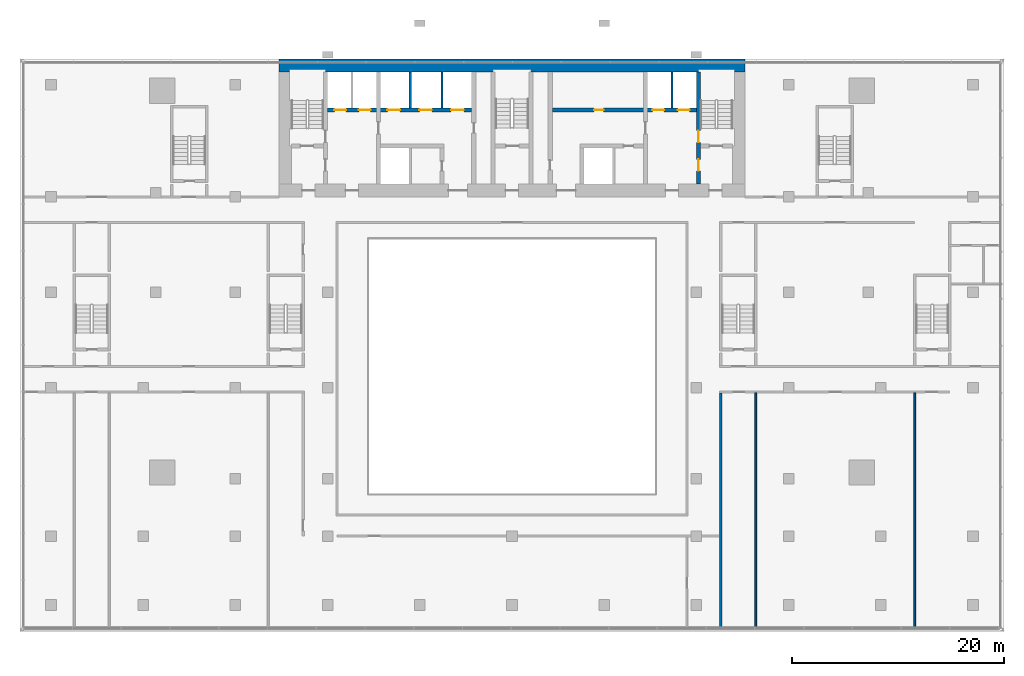
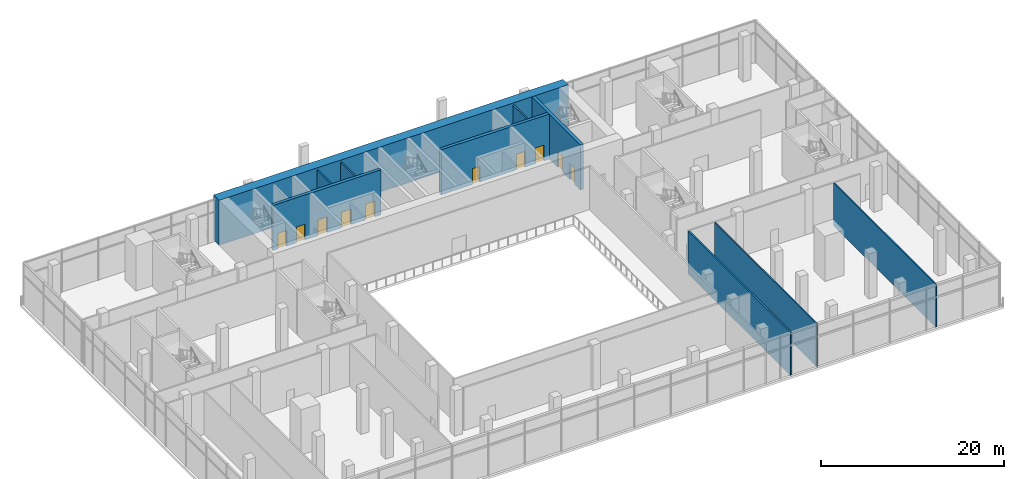
# One storey, part 14 of 22: 10 doors, 10 walls, 10 openings.
"""IFC4 building model written with IfcOpenShell, lengths in metres."""

from ifc_helpers import new_model, si_unit, direction, frame, frame_2d, origin, place, context, subcontext, project, spatial, rectangle, extrude, material, layer, layer_set, type_object, element, fill, save


model = new_model("IFC4")

# Units and contexts
model_context = context("Model", 3, precision=1e-05, world=origin(), true_north=direction((0.0, 1.0)))
body_context = subcontext(model_context, "Body", "Model", "MODEL_VIEW")
ifc_project = project(units=[si_unit("LENGTHUNIT", "METRE"), si_unit("AREAUNIT", "SQUARE_METRE"), si_unit("VOLUMEUNIT", "CUBIC_METRE"), si_unit("PLANEANGLEUNIT", "RADIAN"), si_unit("MASSUNIT", "GRAM", prefix="KILO")], contexts=[model_context])

# Site, building, storey
site_placement = place(None, origin())
site = spatial("IfcSite", under=ifc_project, at=site_placement, CompositionType="ELEMENT")
building_placement = place(site_placement, origin())
building = spatial("IfcBuilding", under=site, at=building_placement, Name="Bicima Exchange Tower", CompositionType="ELEMENT")
storey_placement = place(building_placement, frame((0.0, 0.0, 14.0)))
storey = spatial("IfcBuildingStorey", under=building, at=storey_placement, Name="L02", CompositionType="ELEMENT", Elevation=14.0)

# Walls
ifc_material_1 = material(Name="Gypsum board partition")
ifc_layer_1 = layer(ifc_material_1, 0.199951171875)
ifc_layer_set_1 = layer_set([ifc_layer_1], Name="Gypsum board partition")
wall_type_1 = type_object("IfcWallType", Name="Fire-rated gypsum partition 200 EI120", PredefinedType="PARTITIONING", material=ifc_layer_set_1)
for number, where, z_axis, x_axis, name in (
    (1, (-9.60009765625, -4.60009765625, 0.0), (0.0, 0.0, 1.0), (0.0, 1.0, 0.0), "partition wall 12"),
    (2, (-6.60009765625, -4.60009765625, 0.0), (0.0, 0.0, 1.0), (0.0, 1.0, 0.0), "partition wall 14"),
    (3, (15.10009765625, -4.60009765625, 0.0), (0.0, 0.0, 1.0), (0.0, 1.0, 0.0), "partition wall 22"),
):
    element("IfcWall", number, at=place(storey_placement, frame(where, z_axis=z_axis, x_axis=x_axis)), inside=storey, type_object=wall_type_1, Name=name, PredefinedType="PARTITIONING", context=body_context, shape_type="SweptSolid", body=[
        extrude(rectangle(XDim=3.400146484375, YDim=0.199951171875, at=frame_2d((1.7001953125, 0.0))), origin(), (0.0, 0.0, 1.0), 5.699951171875),
    ])
ifc_layer_2 = layer(ifc_material_1, 0.199951171875)
ifc_layer_set_2 = layer_set([ifc_layer_2], Name="Gypsum board partition")
wall_type_2 = type_object("IfcWallType", Name="Fire-rated gypsum partition 200 EI60", PredefinedType="PARTITIONING", material=ifc_layer_set_2)
wall_1_placement = place(storey_placement, frame((19.699951171875, -53.7900390625, 0.0), z_axis=(0.0, 0.0, 1.0), x_axis=(0.0, 1.0, 0.0)))
element("IfcWall", 4, at=wall_1_placement, inside=storey, type_object=wall_type_2, Name="partition wall 42", PredefinedType="PARTITIONING", context=body_context, shape_type="SweptSolid", body=[
    extrude(rectangle(XDim=22.2900390625, YDim=0.199951171875, at=frame_2d((11.14501953125, 0.0))), origin(), (0.0, 0.0, 1.0), 5.699951171875),
])
ifc_layer_3 = layer(ifc_material_1, 0.14990234375)
ifc_layer_set_3 = layer_set([ifc_layer_3], Name="Gypsum board partition")
wall_type_3 = type_object("IfcWallType", Name="Gypsum partition 150", PredefinedType="PARTITIONING", material=ifc_layer_set_3)
for number, where, z_axis, x_axis, name in (
    (5, (23.0, -53.7900390625, 0.0), (0.0, 0.0, 1.0), (0.0, 1.0, 0.0), "partition wall 44"),
    (6, (38.0, -53.7900390625, 0.0), (0.0, 0.0, 1.0), (0.0, 1.0, 0.0), "partition wall 48"),
):
    element("IfcWall", number, at=place(storey_placement, frame(where, z_axis=z_axis, x_axis=x_axis)), inside=storey, type_object=wall_type_3, Name=name, PredefinedType="PARTITIONING", context=body_context, shape_type="SweptSolid", body=[
        extrude(rectangle(XDim=22.2900390625, YDim=0.14990234375, at=frame_2d((11.14501953125, 0.0))), origin(), (0.0, 0.0, 1.0), 5.699951171875),
    ])
ifc_material_2 = material(Name="Concrete C60/75", Category="concrete")
ifc_layer_4 = layer(ifc_material_2, 1.199951171875)
ifc_layer_set_4 = layer_set([ifc_layer_4], Name="Concrete C60/75")
wall_type_4 = type_object("IfcWallType", Name="RC core wall 1200 C60/75", PredefinedType="SHEAR", material=ifc_layer_set_4)
wall_2_placement = place(storey_placement, frame((-22.0, -0.60009765625, 0.0), z_axis=(0.0, 0.0, 1.0), x_axis=(1.0, 0.0, 0.0)))
element("IfcWall", 7, at=wall_2_placement, inside=storey, type_object=wall_type_4, Name="Core wall north", PredefinedType="SHEAR", context=body_context, shape_type="SweptSolid", body=[
    extrude(rectangle(XDim=44.0, YDim=1.199951171875, at=frame_2d((22.0, 0.0))), origin(), (0.0, 0.0, 1.0), 6.0),
])

# Wall, openings, doors
ifc_material_3 = material(Name="Concrete C50/60", Category="concrete")
ifc_layer_5 = layer(ifc_material_3, 0.39990234375)
ifc_layer_set_5 = layer_set([ifc_layer_5], Name="Concrete C50/60")
wall_type_5 = type_object("IfcWallType", Name="RC core wall 400 C50/60", PredefinedType="SHEAR", material=ifc_layer_set_5)
wall_3_placement = place(storey_placement, frame((17.60009765625, -11.800048828125, 0.0), z_axis=(0.0, 0.0, 1.0), x_axis=(0.0, 1.0, 0.0)))
wall_3 = element("IfcWall", 8, at=wall_3_placement, inside=storey, type_object=wall_type_5, Name="stair wall 23", PredefinedType="SHEAR", context=body_context, shape_type="SweptSolid", body=[
    extrude(rectangle(XDim=10.60009765625, YDim=0.39990234375, at=frame_2d((5.300048828125, 0.0))), origin(), (0.0, 0.0, 1.0), 6.0),
])
opening_1_placement = place(wall_3_placement, frame((1.25, 0.0, 0.0)))
opening_1 = element("IfcOpeningElement", 9, at=opening_1_placement, cuts=wall_3, Name="Opening L02-C05", PredefinedType="OPENING", context=body_context, shape_type="SweptSolid", body=[
    extrude(rectangle(XDim=1.10009765625, YDim=2.10009765625, at=frame_2d((0.550048828125, 1.050048828125))), frame((0.0, 0.2119140625, 0.0), z_axis=(0.0, -1.0, 0.0), x_axis=(1.0, 0.0, 0.0)), (0.0, 0.0, 1.0), 0.423828125),
])
opening_2_placement = place(wall_3_placement, frame((3.949951171875, 0.0, 0.0)))
opening_2 = element("IfcOpeningElement", 10, at=opening_2_placement, cuts=wall_3, Name="Opening L02-C08", PredefinedType="OPENING", context=body_context, shape_type="SweptSolid", body=[
    extrude(rectangle(XDim=1.10009765625, YDim=2.10009765625, at=frame_2d((0.550048828125, 1.050048828125))), frame((0.0, 0.2119140625, 0.0), z_axis=(0.0, -1.0, 0.0), x_axis=(1.0, 0.0, 0.0)), (0.0, 0.0, 1.0), 0.423828125),
])
ifc_material_4 = material(Name="Steel fire door leaf", Category="steel")
door_type_1 = type_object("IfcDoorType", Name="Door 1100 swing FD60S", OperationType="SINGLE_SWING_LEFT", PredefinedType="DOOR", material=ifc_material_4)
door_1_placement = place(opening_1_placement, origin())
door_1 = element("IfcDoor", 11, at=door_1_placement, inside=storey, type_object=door_type_1, Name="Core door", OperationType="SINGLE_SWING_LEFT", OverallHeight=2.10009765625, OverallWidth=1.10009765625, PredefinedType="DOOR", context=body_context, shape_type="SweptSolid", body=[
    extrude(rectangle(XDim=1.10009765625, YDim=2.10009765625, at=frame_2d((0.550048828125, 1.050048828125))), frame((0.0, 0.02490234375, 0.0), z_axis=(0.0, -1.0, 0.0), x_axis=(1.0, 0.0, 0.0)), (0.0, 0.0, 1.0), 0.050048828125),
])
fill(opening_1, door_1)
door_2_placement = place(opening_2_placement, origin())
door_2 = element("IfcDoor", 12, at=door_2_placement, inside=storey, type_object=door_type_1, Name="Core door", OperationType="SINGLE_SWING_RIGHT", OverallHeight=2.10009765625, OverallWidth=1.10009765625, PredefinedType="DOOR", context=body_context, shape_type="SweptSolid", body=[
    extrude(rectangle(XDim=1.10009765625, YDim=2.10009765625, at=frame_2d((0.550048828125, 1.050048828125))), frame((0.0, 0.02490234375, 0.0), z_axis=(0.0, -1.0, 0.0), x_axis=(1.0, 0.0, 0.0)), (0.0, 0.0, 1.0), 0.050048828125),
])
fill(opening_2, door_2)

ifc_layer_6 = layer(ifc_material_2, 0.39990234375)
ifc_layer_set_6 = layer_set([ifc_layer_6], Name="Concrete C60/75")
wall_type_6 = type_object("IfcWallType", Name="RC core wall 400 C60/75", PredefinedType="SHEAR", material=ifc_layer_set_6)
wall_4_placement = place(storey_placement, frame((-17.39990234375, -4.800048828125, 0.0), z_axis=(0.0, 0.0, 1.0), x_axis=(1.0, 0.0, 0.0)))
wall_4 = element("IfcWall", 13, at=wall_4_placement, inside=storey, type_object=wall_type_6, Name="shear wall 6", PredefinedType="SHEAR", context=body_context, shape_type="SweptSolid", body=[
    extrude(rectangle(XDim=13.599853515625, YDim=0.39990234375, at=frame_2d((6.7998046875, 0.0))), origin(), (0.0, 0.0, 1.0), 6.0),
])
opening_3_placement = place(wall_4_placement, frame((0.64990234375, 0.0, 0.0)))
opening_3 = element("IfcOpeningElement", 14, at=opening_3_placement, cuts=wall_4, Name="Opening LD-FF1-L02", PredefinedType="OPENING", context=body_context, shape_type="SweptSolid", body=[
    extrude(rectangle(XDim=1.10009765625, YDim=2.10009765625, at=frame_2d((0.550048828125, 1.050048828125))), frame((0.0, 0.2119140625, 0.0), z_axis=(0.0, -1.0, 0.0), x_axis=(1.0, 0.0, 0.0)), (0.0, 0.0, 1.0), 0.423828125),
])
opening_4_placement = place(wall_4_placement, frame((2.949951171875, 0.0, 0.0)))
opening_4 = element("IfcOpeningElement", 15, at=opening_4_placement, cuts=wall_4, Name="Opening LD-FF3-L02", PredefinedType="OPENING", context=body_context, shape_type="SweptSolid", body=[
    extrude(rectangle(XDim=1.10009765625, YDim=2.10009765625, at=frame_2d((0.550048828125, 1.050048828125))), frame((0.0, 0.2119140625, 0.0), z_axis=(0.0, -1.0, 0.0), x_axis=(1.0, 0.0, 0.0)), (0.0, 0.0, 1.0), 0.423828125),
])
opening_5_placement = place(wall_4_placement, frame((5.64990234375, 0.0, 0.0)))
opening_5 = element("IfcOpeningElement", 16, at=opening_5_placement, cuts=wall_4, Name="Opening LD-LB1-L02", PredefinedType="OPENING", context=body_context, shape_type="SweptSolid", body=[
    extrude(rectangle(XDim=1.199951171875, YDim=2.10009765625, at=frame_2d((0.60009765625, 1.050048828125))), frame((0.0, 0.2119140625, 0.0), z_axis=(0.0, -1.0, 0.0), x_axis=(1.0, 0.0, 0.0)), (0.0, 0.0, 1.0), 0.423828125),
])
opening_6_placement = place(wall_4_placement, frame((8.64990234375, 0.0, 0.0)))
opening_6 = element("IfcOpeningElement", 17, at=opening_6_placement, cuts=wall_4, Name="Opening LD-LB2-L02", PredefinedType="OPENING", context=body_context, shape_type="SweptSolid", body=[
    extrude(rectangle(XDim=1.199951171875, YDim=2.10009765625, at=frame_2d((0.60009765625, 1.050048828125))), frame((0.0, 0.2119140625, 0.0), z_axis=(0.0, -1.0, 0.0), x_axis=(1.0, 0.0, 0.0)), (0.0, 0.0, 1.0), 0.423828125),
])
opening_7_placement = place(wall_4_placement, frame((11.64990234375, 0.0, 0.0)))
opening_7 = element("IfcOpeningElement", 18, at=opening_7_placement, cuts=wall_4, Name="Opening LD-LB3-L02", PredefinedType="OPENING", context=body_context, shape_type="SweptSolid", body=[
    extrude(rectangle(XDim=1.199951171875, YDim=2.10009765625, at=frame_2d((0.60009765625, 1.050048828125))), frame((0.0, 0.2119140625, 0.0), z_axis=(0.0, -1.0, 0.0), x_axis=(1.0, 0.0, 0.0)), (0.0, 0.0, 1.0), 0.423828125),
])
ifc_material_5 = material(Name="Stainless steel", Category="steel")
door_type_2 = type_object("IfcDoorType", Name="Lift landing door 1100 sliding", OperationType="DOUBLE_DOOR_SLIDING", PredefinedType="DOOR", material=ifc_material_5)
door_3_placement = place(opening_3_placement, origin())
door_3 = element("IfcDoor", 19, at=door_3_placement, inside=storey, type_object=door_type_2, Name="Lift landing door FF1", OperationType="DOUBLE_DOOR_SLIDING", OverallHeight=2.10009765625, OverallWidth=1.10009765625, PredefinedType="DOOR", context=body_context, shape_type="SweptSolid", body=[
    extrude(rectangle(XDim=1.10009765625, YDim=2.10009765625, at=frame_2d((0.550048828125, 1.050048828125))), frame((0.0, 0.02490234375, 0.0), z_axis=(0.0, -1.0, 0.0), x_axis=(1.0, 0.0, 0.0)), (0.0, 0.0, 1.0), 0.050048828125),
])
fill(opening_3, door_3)
door_4_placement = place(opening_4_placement, origin())
door_4 = element("IfcDoor", 20, at=door_4_placement, inside=storey, type_object=door_type_2, Name="Lift landing door FF3", OperationType="DOUBLE_DOOR_SLIDING", OverallHeight=2.10009765625, OverallWidth=1.10009765625, PredefinedType="DOOR", context=body_context, shape_type="SweptSolid", body=[
    extrude(rectangle(XDim=1.10009765625, YDim=2.10009765625, at=frame_2d((0.550048828125, 1.050048828125))), frame((0.0, 0.02490234375, 0.0), z_axis=(0.0, -1.0, 0.0), x_axis=(1.0, 0.0, 0.0)), (0.0, 0.0, 1.0), 0.050048828125),
])
fill(opening_4, door_4)
door_type_3 = type_object("IfcDoorType", Name="Lift landing door 1200 sliding", OperationType="DOUBLE_DOOR_SLIDING", PredefinedType="DOOR", material=ifc_material_5)
door_5_placement = place(opening_5_placement, origin())
door_5 = element("IfcDoor", 21, at=door_5_placement, inside=storey, type_object=door_type_3, Name="Lift landing door LB1", OperationType="DOUBLE_DOOR_SLIDING", OverallHeight=2.10009765625, OverallWidth=1.199951171875, PredefinedType="DOOR", context=body_context, shape_type="SweptSolid", body=[
    extrude(rectangle(XDim=1.199951171875, YDim=2.10009765625, at=frame_2d((0.60009765625, 1.050048828125))), frame((0.0, 0.02490234375, 0.0), z_axis=(0.0, -1.0, 0.0), x_axis=(1.0, 0.0, 0.0)), (0.0, 0.0, 1.0), 0.050048828125),
])
fill(opening_5, door_5)
door_6_placement = place(opening_6_placement, origin())
door_6 = element("IfcDoor", 22, at=door_6_placement, inside=storey, type_object=door_type_3, Name="Lift landing door LB2", OperationType="DOUBLE_DOOR_SLIDING", OverallHeight=2.10009765625, OverallWidth=1.199951171875, PredefinedType="DOOR", context=body_context, shape_type="SweptSolid", body=[
    extrude(rectangle(XDim=1.199951171875, YDim=2.10009765625, at=frame_2d((0.60009765625, 1.050048828125))), frame((0.0, 0.02490234375, 0.0), z_axis=(0.0, -1.0, 0.0), x_axis=(1.0, 0.0, 0.0)), (0.0, 0.0, 1.0), 0.050048828125),
])
fill(opening_6, door_6)
door_7_placement = place(opening_7_placement, origin())
door_7 = element("IfcDoor", 23, at=door_7_placement, inside=storey, type_object=door_type_3, Name="Lift landing door LB3", OperationType="DOUBLE_DOOR_SLIDING", OverallHeight=2.10009765625, OverallWidth=1.199951171875, PredefinedType="DOOR", context=body_context, shape_type="SweptSolid", body=[
    extrude(rectangle(XDim=1.199951171875, YDim=2.10009765625, at=frame_2d((0.60009765625, 1.050048828125))), frame((0.0, 0.02490234375, 0.0), z_axis=(0.0, -1.0, 0.0), x_axis=(1.0, 0.0, 0.0)), (0.0, 0.0, 1.0), 0.050048828125),
])
fill(opening_7, door_7)

wall_5_placement = place(storey_placement, frame((3.800048828125, -4.800048828125, 0.0), z_axis=(0.0, 0.0, 1.0), x_axis=(1.0, 0.0, 0.0)))
wall_5 = element("IfcWall", 24, at=wall_5_placement, inside=storey, type_object=wall_type_6, Name="shear wall 7", PredefinedType="SHEAR", context=body_context, shape_type="SweptSolid", body=[
    extrude(rectangle(XDim=13.599853515625, YDim=0.39990234375, at=frame_2d((6.7998046875, 0.0))), origin(), (0.0, 0.0, 1.0), 6.0),
])
opening_8_placement = place(wall_5_placement, frame((9.449951171875, 0.0, 0.0)))
opening_8 = element("IfcOpeningElement", 25, at=opening_8_placement, cuts=wall_5, Name="Opening LD-FF2-L02", PredefinedType="OPENING", context=body_context, shape_type="SweptSolid", body=[
    extrude(rectangle(XDim=1.10009765625, YDim=2.10009765625, at=frame_2d((0.550048828125, 1.050048828125))), frame((0.0, 0.2119140625, 0.0), z_axis=(0.0, -1.0, 0.0), x_axis=(1.0, 0.0, 0.0)), (0.0, 0.0, 1.0), 0.423828125),
])
opening_9_placement = place(wall_5_placement, frame((11.85009765625, 0.0, 0.0)))
opening_9 = element("IfcOpeningElement", 26, at=opening_9_placement, cuts=wall_5, Name="Opening LD-SV1-L02", PredefinedType="OPENING", context=body_context, shape_type="SweptSolid", body=[
    extrude(rectangle(XDim=1.10009765625, YDim=2.10009765625, at=frame_2d((0.550048828125, 1.050048828125))), frame((0.0, 0.2119140625, 0.0), z_axis=(0.0, -1.0, 0.0), x_axis=(1.0, 0.0, 0.0)), (0.0, 0.0, 1.0), 0.423828125),
])
opening_10_placement = place(wall_5_placement, frame((3.949951171875, 0.0, 0.0)))
opening_10 = element("IfcOpeningElement", 27, at=opening_10_placement, cuts=wall_5, Name="Opening L02-C12", PredefinedType="OPENING", context=body_context, shape_type="SweptSolid", body=[
    extrude(rectangle(XDim=0.89990234375, YDim=2.10009765625, at=frame_2d((0.449951171875, 1.050048828125))), frame((0.0, 0.2119140625, 0.0), z_axis=(0.0, -1.0, 0.0), x_axis=(1.0, 0.0, 0.0)), (0.0, 0.0, 1.0), 0.423828125),
])
door_type_4 = type_object("IfcDoorType", Name="Door 900 swing FD30S", OperationType="SINGLE_SWING_LEFT", PredefinedType="DOOR", material=ifc_material_4)
door_8_placement = place(opening_10_placement, origin())
door_8 = element("IfcDoor", 28, at=door_8_placement, inside=storey, type_object=door_type_4, Name="Core door", OperationType="SINGLE_SWING_RIGHT", OverallHeight=2.10009765625, OverallWidth=0.89990234375, PredefinedType="DOOR", context=body_context, shape_type="SweptSolid", body=[
    extrude(rectangle(XDim=0.89990234375, YDim=2.10009765625, at=frame_2d((0.449951171875, 1.050048828125))), frame((0.0, 0.02490234375, 0.0), z_axis=(0.0, -1.0, 0.0), x_axis=(1.0, 0.0, 0.0)), (0.0, 0.0, 1.0), 0.050048828125),
])
fill(opening_10, door_8)
door_9_placement = place(opening_8_placement, origin())
door_9 = element("IfcDoor", 29, at=door_9_placement, inside=storey, type_object=door_type_2, Name="Lift landing door FF2", OperationType="DOUBLE_DOOR_SLIDING", OverallHeight=2.10009765625, OverallWidth=1.10009765625, PredefinedType="DOOR", context=body_context, shape_type="SweptSolid", body=[
    extrude(rectangle(XDim=1.10009765625, YDim=2.10009765625, at=frame_2d((0.550048828125, 1.050048828125))), frame((0.0, 0.02490234375, 0.0), z_axis=(0.0, -1.0, 0.0), x_axis=(1.0, 0.0, 0.0)), (0.0, 0.0, 1.0), 0.050048828125),
])
fill(opening_8, door_9)
door_10_placement = place(opening_9_placement, origin())
door_10 = element("IfcDoor", 30, at=door_10_placement, inside=storey, type_object=door_type_2, Name="Lift landing door SV1", OperationType="DOUBLE_DOOR_SLIDING", OverallHeight=2.10009765625, OverallWidth=1.10009765625, PredefinedType="DOOR", context=body_context, shape_type="SweptSolid", body=[
    extrude(rectangle(XDim=1.10009765625, YDim=2.10009765625, at=frame_2d((0.550048828125, 1.050048828125))), frame((0.0, 0.02490234375, 0.0), z_axis=(0.0, -1.0, 0.0), x_axis=(1.0, 0.0, 0.0)), (0.0, 0.0, 1.0), 0.050048828125),
])
fill(opening_9, door_10)

save(model, "model.ifc")
